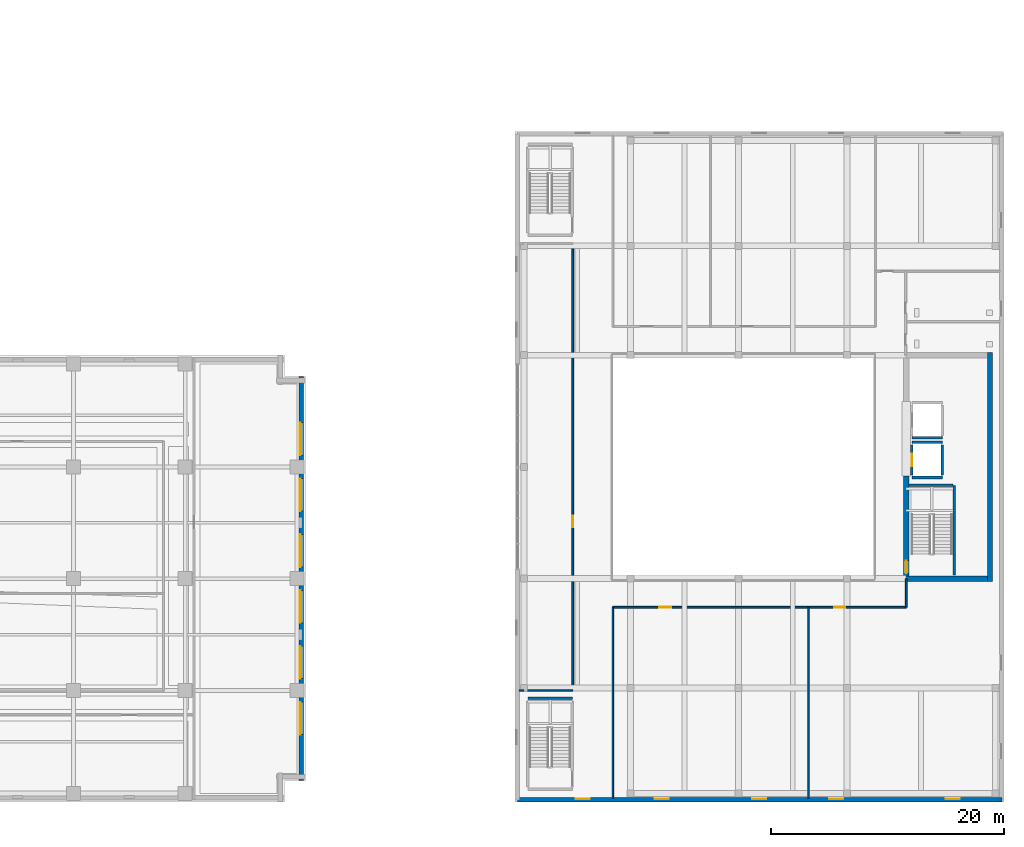
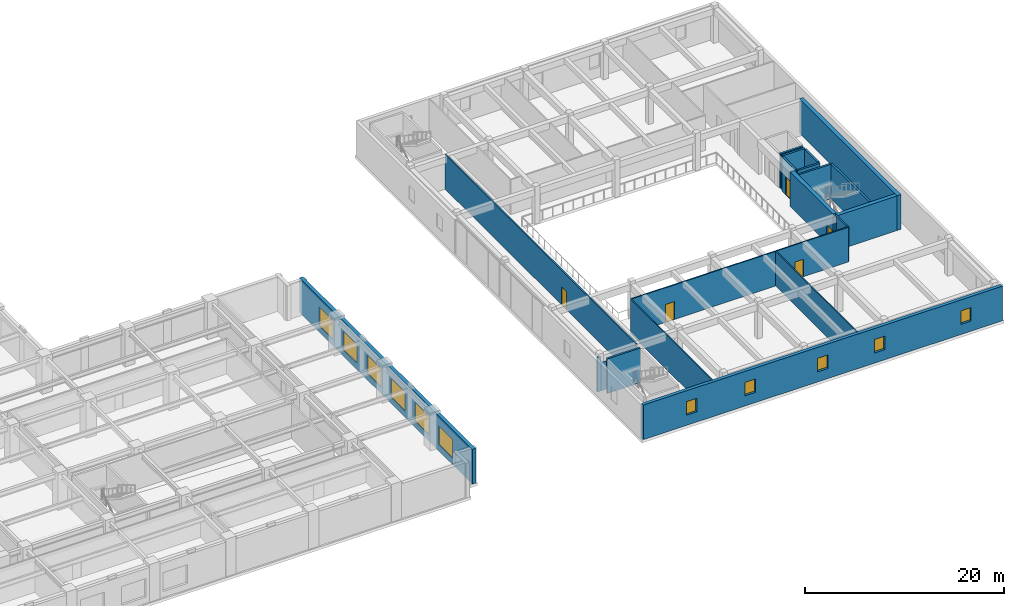
# One storey, part 9 of 24: 20 walls, 11 windows, 5 doors, 16 openings.
"""IFC4 building model written with IfcOpenShell, lengths in metres."""

from ifc_helpers import new_model, si_unit, direction, frame, frame_2d, origin, place, context, subcontext, project, spatial, rectangle, extrude, material, layer, layer_set, type_object, element, fill, save


model = new_model("IFC4")

# Units and contexts
model_context = context("Model", 3, precision=1e-05, world=origin(), true_north=direction((0.0, 1.0)))
body_context = subcontext(model_context, "Body", "Model", "MODEL_VIEW")
ifc_project = project(units=[si_unit("LENGTHUNIT", "METRE"), si_unit("AREAUNIT", "SQUARE_METRE"), si_unit("VOLUMEUNIT", "CUBIC_METRE"), si_unit("PLANEANGLEUNIT", "RADIAN"), si_unit("MASSUNIT", "GRAM", prefix="KILO")], contexts=[model_context])

# Site, building, storey
site_placement = place(None, origin())
site = spatial("IfcSite", under=ifc_project, at=site_placement, CompositionType="ELEMENT")
building_placement = place(site_placement, origin())
building = spatial("IfcBuilding", under=site, at=building_placement, Name="Norrvale University Quadrangle", CompositionType="ELEMENT")
storey_placement = place(building_placement, frame((0.0, 0.0, 15.0)))
storey = spatial("IfcBuildingStorey", under=building, at=storey_placement, Name="L03", CompositionType="ELEMENT", Elevation=15.0)

# Walls
ifc_material_1 = material(Name="Standard Academic Gypsum Partition")
ifc_layer_1 = layer(ifc_material_1, 0.125, Name="Standard Academic Gypsum Partition")
ifc_layer_set_1 = layer_set([ifc_layer_1], Name="Standard Academic Gypsum Partition")
wall_type_1 = type_object("IfcWallType", Name="Wall Gypsum Academic 125", PredefinedType="PARTITIONING", material=ifc_layer_set_1)
wall_1_placement = place(storey_placement, frame((85.550048828125, 9.60009765625, 0.0), z_axis=(0.0, 0.0, 1.0), x_axis=(1.0, 0.0, 0.0)))
element("IfcWall", 1, at=wall_1_placement, inside=storey, type_object=wall_type_1, Name="Interior Partition WL-L03-LWS", PredefinedType="PARTITIONING", context=body_context, shape_type="SweptSolid", body=[
    extrude(rectangle(XDim=0.39990234375, YDim=0.125, at=frame_2d((0.199951171875, 0.0))), origin(), (0.0, 0.0, 1.0), 4.25),
])
wall_2_placement = place(storey_placement, frame((85.949951171875, 9.60009765625, 0.0), z_axis=(0.0, 0.0, 1.0), x_axis=(1.0, 0.0, 0.0)))
element("IfcWall", 2, at=wall_2_placement, inside=storey, type_object=wall_type_1, Name="Interior Partition WL-L03-LWS-B2", PredefinedType="PARTITIONING", context=body_context, shape_type="SweptSolid", body=[
    extrude(rectangle(XDim=4.199951171875, YDim=0.125, at=frame_2d((2.10009765625, 0.0))), origin(), (0.0, 0.0, 1.0), 3.449951171875),
])
for number, where, z_axis, x_axis, name in (
    (3, (93.60009765625, 0.35009765625, 0.0), (0.0, 0.0, 1.0), (0.0, 1.0, 0.0), "Interior Partition WL-L03-LSS-W"),
    (4, (110.39990234375, 0.35009765625, 0.0), (0.0, 0.0, 1.0), (0.0, 1.0, 0.0), "Interior Partition WL-L03-LSS-M"),
):
    element("IfcWall", number, at=place(storey_placement, frame(where, z_axis=z_axis, x_axis=x_axis)), inside=storey, type_object=wall_type_1, Name=name, PredefinedType="PARTITIONING", context=body_context, shape_type="SweptSolid", body=[
        extrude(rectangle(XDim=16.389892578125, YDim=0.125, at=frame_2d((8.19482421875, 0.0))), origin(), (0.0, 0.0, 1.0), 4.25),
    ])

# Wall, opening, door
ifc_material_2 = material(Name="Fire-Rated Gypsum Stud Partition")
ifc_layer_2 = layer(ifc_material_2, 0.14990234375, Name="Fire-Rated Gypsum Stud Partition")
ifc_layer_set_2 = layer_set([ifc_layer_2], Name="Fire-Rated Gypsum Stud Partition")
wall_type_2 = type_object("IfcWallType", Name="Wall Gypsum Corridor 150", PredefinedType="PARTITIONING", material=ifc_layer_set_2)
wall_3_placement = place(storey_placement, frame((90.14990234375, 9.60009765625, 0.0), z_axis=(0.0, 0.0, 1.0), x_axis=(0.0, 1.0, 0.0)))
wall_3 = element("IfcWall", 5, at=wall_3_placement, inside=storey, type_object=wall_type_2, Name="Interior Partition WL-L03-LWE", PredefinedType="PARTITIONING", context=body_context, shape_type="SweptSolid", body=[
    extrude(rectangle(XDim=38.39990234375, YDim=0.14990234375, at=frame_2d((19.199951171875, 0.0))), origin(), (0.0, 0.0, 1.0), 4.25),
])
opening_1_placement = place(wall_3_placement, frame((14.0, 0.0, 0.0)))
opening_1 = element("IfcOpeningElement", 6, at=opening_1_placement, cuts=wall_3, Name="Opening D04", PredefinedType="OPENING", context=body_context, shape_type="SweptSolid", body=[
    extrude(rectangle(XDim=1.0, YDim=2.199951171875, at=frame_2d((0.5, 1.10009765625))), frame((0.0, 0.0869140625, 0.0), z_axis=(0.0, -1.0, 0.0), x_axis=(1.0, 0.0, 0.0)), (0.0, 0.0, 1.0), 0.173828125),
])
ifc_material_3 = material(Name="Solid-Core Oak Fire Door", Category="wood")
door_type_1 = type_object("IfcDoorType", Name="Door Corridor 1000x2200", OperationType="NOTDEFINED", PredefinedType="DOOR", material=ifc_material_3)
door_1_placement = place(opening_1_placement, origin())
door_1 = element("IfcDoor", 7, at=door_1_placement, inside=storey, type_object=door_type_1, Name="Door Corridor 1000x2200 DR-L03-LWCAR", OperationType="SINGLE_SWING_LEFT", OverallHeight=2.199951171875, OverallWidth=1.0, PredefinedType="DOOR", context=body_context, shape_type="SweptSolid", body=[
    extrude(rectangle(XDim=1.0, YDim=2.199951171875, at=frame_2d((0.5, 1.10009765625))), frame((0.0, 0.02490234375, 0.0), z_axis=(0.0, -1.0, 0.0), x_axis=(1.0, 0.0, 0.0)), (0.0, 0.0, 1.0), 0.050048828125),
])
fill(opening_1, door_1)

# Wall
wall_4_placement = place(storey_placement, frame((118.800048828125, 16.739990234375, 0.0), z_axis=(0.0, 0.0, 1.0), x_axis=(0.0, 1.0, 0.0)))
element("IfcWall", 8, at=wall_4_placement, inside=storey, type_object=wall_type_2, Name="Interior Partition WL-L03-LSS-E", PredefinedType="PARTITIONING", context=body_context, shape_type="SweptSolid", body=[
    extrude(rectangle(XDim=2.4599609375, YDim=0.14990234375, at=frame_2d((1.22998046875, 0.0))), origin(), (0.0, 0.0, 1.0), 4.25),
])

# Wall, openings, doors
wall_5_placement = place(storey_placement, frame((93.60009765625, 16.739990234375, 0.0), z_axis=(0.0, 0.0, 1.0), x_axis=(1.0, 0.0, 0.0)))
wall_5 = element("IfcWall", 9, at=wall_5_placement, inside=storey, type_object=wall_type_2, Name="Interior Partition WL-L03-LSS-N", PredefinedType="PARTITIONING", context=body_context, shape_type="SweptSolid", body=[
    extrude(rectangle(XDim=25.199951171875, YDim=0.14990234375, at=frame_2d((12.60009765625, 0.0))), origin(), (0.0, 0.0, 1.0), 4.25),
])
opening_2_placement = place(wall_5_placement, frame((4.0, 0.0, 0.0)))
opening_2 = element("IfcOpeningElement", 10, at=opening_2_placement, cuts=wall_5, Name="Opening D04", PredefinedType="OPENING", context=body_context, shape_type="SweptSolid", body=[
    extrude(rectangle(XDim=1.0, YDim=2.199951171875, at=frame_2d((0.5, 1.10009765625))), frame((0.0, 0.0869140625, 0.0), z_axis=(0.0, -1.0, 0.0), x_axis=(1.0, 0.0, 0.0)), (0.0, 0.0, 1.0), 0.173828125),
])
opening_3_placement = place(wall_5_placement, frame((19.0, 0.0, 0.0)))
opening_3 = element("IfcOpeningElement", 11, at=opening_3_placement, cuts=wall_5, Name="Opening D07", PredefinedType="OPENING", context=body_context, shape_type="SweptSolid", body=[
    extrude(rectangle(XDim=0.949951171875, YDim=2.14990234375, at=frame_2d((0.47509765625, 1.074951171875))), frame((0.0, 0.0869140625, 0.0), z_axis=(0.0, -1.0, 0.0), x_axis=(1.0, 0.0, 0.0)), (0.0, 0.0, 1.0), 0.173828125),
])
door_2_placement = place(opening_2_placement, origin())
door_2 = element("IfcDoor", 12, at=door_2_placement, inside=storey, type_object=door_type_1, Name="Door Corridor 1000x2200 DR-L03-LS1", OperationType="SINGLE_SWING_LEFT", OverallHeight=2.199951171875, OverallWidth=1.0, PredefinedType="DOOR", context=body_context, shape_type="SweptSolid", body=[
    extrude(rectangle(XDim=1.0, YDim=2.199951171875, at=frame_2d((0.5, 1.10009765625))), frame((0.0, 0.02490234375, 0.0), z_axis=(0.0, -1.0, 0.0), x_axis=(1.0, 0.0, 0.0)), (0.0, 0.0, 1.0), 0.050048828125),
])
fill(opening_2, door_2)
ifc_material_4 = material(Name="Solid-Core Maple Door", Category="wood")
door_type_2 = type_object("IfcDoorType", Name="Door Office 950x2150", OperationType="NOTDEFINED", PredefinedType="DOOR", material=ifc_material_4)
door_3_placement = place(opening_3_placement, origin())
door_3 = element("IfcDoor", 13, at=door_3_placement, inside=storey, type_object=door_type_2, Name="Door Office 950x2150 DR-L03-LS2", OperationType="SINGLE_SWING_RIGHT", OverallHeight=2.14990234375, OverallWidth=0.949951171875, PredefinedType="DOOR", context=body_context, shape_type="SweptSolid", body=[
    extrude(rectangle(XDim=0.949951171875, YDim=2.14990234375, at=frame_2d((0.47509765625, 1.074951171875))), frame((0.0, 0.02490234375, 0.0), z_axis=(0.0, -1.0, 0.0), x_axis=(1.0, 0.0, 0.0)), (0.0, 0.0, 1.0), 0.050048828125),
])
fill(opening_3, door_3)

# Wall, openings, windows
ifc_material_5 = material(Name="Buff Norman Clay Brick Masonry", Category="masonry")
ifc_layer_3 = layer(ifc_material_5, 0.3798828125, Name="Buff Norman Clay Brick Masonry")
ifc_layer_set_3 = layer_set([ifc_layer_3], Name="Buff Norman Clay Brick Masonry")
wall_type_3 = type_object("IfcWallType", Name="Wall Lib Brick 380", PredefinedType="SOLIDWALL", material=ifc_layer_set_3)
wall_6_placement = place(storey_placement, frame((85.389892578125, 0.18994140625, 0.0), z_axis=(0.0, 0.0, 1.0), x_axis=(1.0, 0.0, 0.0)))
wall_6 = element("IfcWall", 14, at=wall_6_placement, inside=storey, type_object=wall_type_3, Name="Central Library South Brick Facade L03", PredefinedType="SOLIDWALL", context=body_context, shape_type="SweptSolid", body=[
    extrude(rectangle(XDim=41.6201171875, YDim=0.3798828125, at=frame_2d((20.81005859375, 0.0))), origin(), (0.0, 0.0, 1.0), 4.25),
])
opening_4_placement = place(wall_6_placement, frame((5.0, 0.0, 1.25)))
opening_4 = element("IfcOpeningElement", 15, at=opening_4_placement, cuts=wall_6, Name="Opening W07", PredefinedType="OPENING", context=body_context, shape_type="SweptSolid", body=[
    extrude(rectangle(XDim=1.199951171875, YDim=1.64990234375, at=frame_2d((0.60009765625, 0.824951171875))), frame((0.0, 0.201904296875, 0.0), z_axis=(0.0, -1.0, 0.0), x_axis=(1.0, 0.0, 0.0)), (0.0, 0.0, 1.0), 0.40380859375),
])
opening_5_placement = place(wall_6_placement, frame((11.800048828125, 0.0, 1.25)))
opening_5 = element("IfcOpeningElement", 16, at=opening_5_placement, cuts=wall_6, Name="Opening W07", PredefinedType="OPENING", context=body_context, shape_type="SweptSolid", body=[
    extrude(rectangle(XDim=1.199951171875, YDim=1.64990234375, at=frame_2d((0.60009765625, 0.824951171875))), frame((0.0, 0.201904296875, 0.0), z_axis=(0.0, -1.0, 0.0), x_axis=(1.0, 0.0, 0.0)), (0.0, 0.0, 1.0), 0.40380859375),
])
opening_6_placement = place(wall_6_placement, frame((20.199951171875, 0.0, 1.25)))
opening_6 = element("IfcOpeningElement", 17, at=opening_6_placement, cuts=wall_6, Name="Opening W07", PredefinedType="OPENING", context=body_context, shape_type="SweptSolid", body=[
    extrude(rectangle(XDim=1.199951171875, YDim=1.64990234375, at=frame_2d((0.60009765625, 0.824951171875))), frame((0.0, 0.201904296875, 0.0), z_axis=(0.0, -1.0, 0.0), x_axis=(1.0, 0.0, 0.0)), (0.0, 0.0, 1.0), 0.40380859375),
])
opening_7_placement = place(wall_6_placement, frame((26.800048828125, 0.0, 1.25)))
opening_7 = element("IfcOpeningElement", 18, at=opening_7_placement, cuts=wall_6, Name="Opening W07", PredefinedType="OPENING", context=body_context, shape_type="SweptSolid", body=[
    extrude(rectangle(XDim=1.199951171875, YDim=1.64990234375, at=frame_2d((0.60009765625, 0.824951171875))), frame((0.0, 0.201904296875, 0.0), z_axis=(0.0, -1.0, 0.0), x_axis=(1.0, 0.0, 0.0)), (0.0, 0.0, 1.0), 0.40380859375),
])
opening_8_placement = place(wall_6_placement, frame((36.800048828125, 0.0, 1.25)))
opening_8 = element("IfcOpeningElement", 19, at=opening_8_placement, cuts=wall_6, Name="Opening W07", PredefinedType="OPENING", context=body_context, shape_type="SweptSolid", body=[
    extrude(rectangle(XDim=1.199951171875, YDim=1.64990234375, at=frame_2d((0.60009765625, 0.824951171875))), frame((0.0, 0.201904296875, 0.0), z_axis=(0.0, -1.0, 0.0), x_axis=(1.0, 0.0, 0.0)), (0.0, 0.0, 1.0), 0.40380859375),
])
ifc_material_6 = material(Name="UV-Filtered Triple Glazing", Category="glass")
window_type_1 = type_object("IfcWindowType", Name="Window Library Stack 1200x1800", PartitioningType="SINGLE_PANEL", PredefinedType="WINDOW", material=ifc_material_6)
window_1_placement = place(opening_4_placement, origin())
window_1 = element("IfcWindow", 20, at=window_1_placement, inside=storey, type_object=window_type_1, Name="Window Library Stack 1200x1800 WIN-L03-LS-01", OverallHeight=1.64990234375, OverallWidth=1.199951171875, PartitioningType="SINGLE_PANEL", PredefinedType="WINDOW", context=body_context, shape_type="SweptSolid", body=[
    extrude(rectangle(XDim=1.199951171875, YDim=1.64990234375, at=frame_2d((0.60009765625, 0.824951171875))), frame((0.0, 0.110107421875, 0.0), z_axis=(0.0, -1.0, 0.0), x_axis=(1.0, 0.0, 0.0)), (0.0, 0.0, 1.0), 0.06005859375),
])
fill(opening_4, window_1)
window_2_placement = place(opening_5_placement, origin())
window_2 = element("IfcWindow", 21, at=window_2_placement, inside=storey, type_object=window_type_1, Name="Window Library Stack 1200x1800 WIN-L03-LS-02", OverallHeight=1.64990234375, OverallWidth=1.199951171875, PartitioningType="SINGLE_PANEL", PredefinedType="WINDOW", context=body_context, shape_type="SweptSolid", body=[
    extrude(rectangle(XDim=1.199951171875, YDim=1.64990234375, at=frame_2d((0.60009765625, 0.824951171875))), frame((0.0, 0.110107421875, 0.0), z_axis=(0.0, -1.0, 0.0), x_axis=(1.0, 0.0, 0.0)), (0.0, 0.0, 1.0), 0.06005859375),
])
fill(opening_5, window_2)
window_3_placement = place(opening_6_placement, origin())
window_3 = element("IfcWindow", 22, at=window_3_placement, inside=storey, type_object=window_type_1, Name="Window Library Stack 1200x1800 WIN-L03-LS-03", OverallHeight=1.64990234375, OverallWidth=1.199951171875, PartitioningType="SINGLE_PANEL", PredefinedType="WINDOW", context=body_context, shape_type="SweptSolid", body=[
    extrude(rectangle(XDim=1.199951171875, YDim=1.64990234375, at=frame_2d((0.60009765625, 0.824951171875))), frame((0.0, 0.110107421875, 0.0), z_axis=(0.0, -1.0, 0.0), x_axis=(1.0, 0.0, 0.0)), (0.0, 0.0, 1.0), 0.06005859375),
])
fill(opening_6, window_3)
window_4_placement = place(opening_7_placement, origin())
window_4 = element("IfcWindow", 23, at=window_4_placement, inside=storey, type_object=window_type_1, Name="Window Library Stack 1200x1800 WIN-L03-LS-04", OverallHeight=1.64990234375, OverallWidth=1.199951171875, PartitioningType="SINGLE_PANEL", PredefinedType="WINDOW", context=body_context, shape_type="SweptSolid", body=[
    extrude(rectangle(XDim=1.199951171875, YDim=1.64990234375, at=frame_2d((0.60009765625, 0.824951171875))), frame((0.0, 0.110107421875, 0.0), z_axis=(0.0, -1.0, 0.0), x_axis=(1.0, 0.0, 0.0)), (0.0, 0.0, 1.0), 0.06005859375),
])
fill(opening_7, window_4)
window_5_placement = place(opening_8_placement, origin())
window_5 = element("IfcWindow", 24, at=window_5_placement, inside=storey, type_object=window_type_1, Name="Window Library Stack 1200x1800 WIN-L03-LS-05", OverallHeight=1.64990234375, OverallWidth=1.199951171875, PartitioningType="SINGLE_PANEL", PredefinedType="WINDOW", context=body_context, shape_type="SweptSolid", body=[
    extrude(rectangle(XDim=1.199951171875, YDim=1.64990234375, at=frame_2d((0.60009765625, 0.824951171875))), frame((0.0, 0.110107421875, 0.0), z_axis=(0.0, -1.0, 0.0), x_axis=(1.0, 0.0, 0.0)), (0.0, 0.0, 1.0), 0.06005859375),
])
fill(opening_8, window_5)

# Walls
ifc_material_7 = material(Name="Concrete C60/75", Category="concrete")
ifc_layer_4 = layer(ifc_material_7, 0.449951171875, Name="Concrete C60/75")
ifc_layer_set_4 = layer_set([ifc_layer_4], Name="Concrete C60/75")
wall_type_4 = type_object("IfcWallType", Name="Wall Lib Core 450", PredefinedType="SHEAR", material=ifc_layer_set_4)
wall_7_placement = place(storey_placement, frame((118.574951171875, 19.199951171875, 0.0), z_axis=(0.0, 0.0, 1.0), x_axis=(1.0, 0.0, 0.0)))
element("IfcWall", 25, at=wall_7_placement, inside=storey, type_object=wall_type_4, Name="Library Core Shear Wall L03-S", PredefinedType="SHEAR", context=body_context, shape_type="SweptSolid", body=[
    extrude(rectangle(XDim=7.199951171875, YDim=0.449951171875, at=frame_2d((3.60009765625, 0.0))), origin(), (0.0, 0.0, 1.0), 4.25),
])
wall_8_placement = place(storey_placement, frame((126.0, 18.97509765625, 0.0), z_axis=(0.0, 0.0, 1.0), x_axis=(0.0, 1.0, 0.0)))
element("IfcWall", 26, at=wall_8_placement, inside=storey, type_object=wall_type_4, Name="Library Core Shear Wall L03-E", PredefinedType="SHEAR", context=body_context, shape_type="SweptSolid", body=[
    extrude(rectangle(XDim=19.64990234375, YDim=0.449951171875, at=frame_2d((9.824951171875, 0.0))), origin(), (0.0, 0.0, 1.0), 4.25),
])

# Wall, opening, door
wall_9_placement = place(storey_placement, frame((118.800048828125, 19.425048828125, 0.0), z_axis=(0.0, 0.0, 1.0), x_axis=(0.0, 1.0, 0.0)))
wall_9 = element("IfcWall", 27, at=wall_9_placement, inside=storey, type_object=wall_type_4, Name="Library Core Shear Wall L03-W1", PredefinedType="SHEAR", context=body_context, shape_type="SweptSolid", body=[
    extrude(rectangle(XDim=8.574951171875, YDim=0.449951171875, at=frame_2d((4.28759765625, 0.0))), origin(), (0.0, 0.0, 1.0), 4.25),
])
opening_9_placement = place(wall_9_placement, frame((0.219970703125, 0.0, 0.0)))
opening_9 = element("IfcOpeningElement", 28, at=opening_9_placement, cuts=wall_9, Name="Opening D02", PredefinedType="OPENING", context=body_context, shape_type="SweptSolid", body=[
    extrude(rectangle(XDim=1.10009765625, YDim=2.199951171875, at=frame_2d((0.550048828125, 1.10009765625))), frame((0.0, 0.237060546875, 0.0), z_axis=(0.0, -1.0, 0.0), x_axis=(1.0, 0.0, 0.0)), (0.0, 0.0, 1.0), 0.473876953125),
])
ifc_material_8 = material(Name="Hollow Steel 350W Fire Door", Category="steel")
door_type_3 = type_object("IfcDoorType", Name="Door Stair Exit 1100x2200", OperationType="NOTDEFINED", PredefinedType="DOOR", material=ifc_material_8)
door_4_placement = place(opening_9_placement, frame((1.10009765625, 0.0, 0.0), z_axis=(0.0, 0.0, 1.0), x_axis=(-1.0, 0.0, 0.0)))
door_4 = element("IfcDoor", 29, at=door_4_placement, inside=storey, type_object=door_type_3, Name="Door Stair Exit 1100x2200 DR-L03-STL1", OperationType="SINGLE_SWING_LEFT", OverallHeight=2.199951171875, OverallWidth=1.10009765625, PredefinedType="DOOR", context=body_context, shape_type="SweptSolid", body=[
    extrude(rectangle(XDim=1.10009765625, YDim=2.199951171875, at=frame_2d((0.550048828125, 1.10009765625))), frame((0.0, 0.02490234375, 0.0), z_axis=(0.0, -1.0, 0.0), x_axis=(1.0, 0.0, 0.0)), (0.0, 0.0, 1.0), 0.050048828125),
])
fill(opening_9, door_4)

# Wall, openings, windows
ifc_material_9 = material(Name="Red Manganese Brick Masonry", Category="masonry")
ifc_layer_5 = layer(ifc_material_9, 0.39990234375, Name="Red Manganese Brick Masonry")
ifc_layer_set_5 = layer_set([ifc_layer_5], Name="Red Manganese Brick Masonry")
wall_type_5 = type_object("IfcWallType", Name="Wall Red Brick 400", PredefinedType="SOLIDWALL", material=ifc_layer_set_5)
wall_10_placement = place(storey_placement, frame((66.820068359375, 1.840087890625, 0.0), z_axis=(0.0, 0.0, 1.0), x_axis=(0.0, 1.0, 0.0)))
wall_10 = element("IfcWall", 30, at=wall_10_placement, inside=storey, type_object=wall_type_5, Name="Exterior Brick Facade Wall L03-04.1", PredefinedType="SOLIDWALL", context=body_context, shape_type="SweptSolid", body=[
    extrude(rectangle(XDim=34.719970703125, YDim=0.39990234375, at=frame_2d((17.35986328125, 0.0))), origin(), (0.0, 0.0, 1.0), 4.260009765625),
])
opening_10_placement = place(wall_10_placement, frame((3.9599609375, 0.0, 0.75)))
opening_10 = element("IfcOpeningElement", 31, at=opening_10_placement, cuts=wall_10, Name="Opening W05", PredefinedType="OPENING", context=body_context, shape_type="SweptSolid", body=[
    extrude(rectangle(XDim=2.800048828125, YDim=2.300048828125, at=frame_2d((1.39990234375, 1.14990234375))), frame((0.0, 0.2119140625, 0.0), z_axis=(0.0, -1.0, 0.0), x_axis=(1.0, 0.0, 0.0)), (0.0, 0.0, 1.0), 0.423828125),
])
opening_11_placement = place(wall_10_placement, frame((8.760009765625, 0.0, 0.75)))
opening_11 = element("IfcOpeningElement", 32, at=opening_11_placement, cuts=wall_10, Name="Opening W05", PredefinedType="OPENING", context=body_context, shape_type="SweptSolid", body=[
    extrude(rectangle(XDim=2.800048828125, YDim=2.300048828125, at=frame_2d((1.39990234375, 1.14990234375))), frame((0.0, 0.2119140625, 0.0), z_axis=(0.0, -1.0, 0.0), x_axis=(1.0, 0.0, 0.0)), (0.0, 0.0, 1.0), 0.423828125),
])
opening_12_placement = place(wall_10_placement, frame((13.56005859375, 0.0, 0.75)))
opening_12 = element("IfcOpeningElement", 33, at=opening_12_placement, cuts=wall_10, Name="Opening W05", PredefinedType="OPENING", context=body_context, shape_type="SweptSolid", body=[
    extrude(rectangle(XDim=2.800048828125, YDim=2.300048828125, at=frame_2d((1.39990234375, 1.14990234375))), frame((0.0, 0.2119140625, 0.0), z_axis=(0.0, -1.0, 0.0), x_axis=(1.0, 0.0, 0.0)), (0.0, 0.0, 1.0), 0.423828125),
])
opening_13_placement = place(wall_10_placement, frame((18.360107421875, 0.0, 0.75)))
opening_13 = element("IfcOpeningElement", 34, at=opening_13_placement, cuts=wall_10, Name="Opening W05", PredefinedType="OPENING", context=body_context, shape_type="SweptSolid", body=[
    extrude(rectangle(XDim=2.800048828125, YDim=2.300048828125, at=frame_2d((1.39990234375, 1.14990234375))), frame((0.0, 0.2119140625, 0.0), z_axis=(0.0, -1.0, 0.0), x_axis=(1.0, 0.0, 0.0)), (0.0, 0.0, 1.0), 0.423828125),
])
opening_14_placement = place(wall_10_placement, frame((23.159912109375, 0.0, 0.75)))
opening_14 = element("IfcOpeningElement", 35, at=opening_14_placement, cuts=wall_10, Name="Opening W05", PredefinedType="OPENING", context=body_context, shape_type="SweptSolid", body=[
    extrude(rectangle(XDim=2.800048828125, YDim=2.300048828125, at=frame_2d((1.39990234375, 1.14990234375))), frame((0.0, 0.2119140625, 0.0), z_axis=(0.0, -1.0, 0.0), x_axis=(1.0, 0.0, 0.0)), (0.0, 0.0, 1.0), 0.423828125),
])
opening_15_placement = place(wall_10_placement, frame((27.9599609375, 0.0, 0.75)))
opening_15 = element("IfcOpeningElement", 36, at=opening_15_placement, cuts=wall_10, Name="Opening W05", PredefinedType="OPENING", context=body_context, shape_type="SweptSolid", body=[
    extrude(rectangle(XDim=2.800048828125, YDim=2.300048828125, at=frame_2d((1.39990234375, 1.14990234375))), frame((0.0, 0.2119140625, 0.0), z_axis=(0.0, -1.0, 0.0), x_axis=(1.0, 0.0, 0.0)), (0.0, 0.0, 1.0), 0.423828125),
])
ifc_material_10 = material(Name="Bird-Friendly Fritted Triple Glazing", Category="glass")
window_type_2 = type_object("IfcWindowType", Name="Window Podium 2800x2800", PartitioningType="TRIPLE_PANEL_VERTICAL", PredefinedType="WINDOW", material=ifc_material_10)
window_6_placement = place(opening_10_placement, origin())
window_6 = element("IfcWindow", 37, at=window_6_placement, inside=storey, type_object=window_type_2, Name="Window Podium 2800x2800 WIN-L03-E04-1-01", OverallHeight=2.300048828125, OverallWidth=2.800048828125, PartitioningType="TRIPLE_PANEL_VERTICAL", PredefinedType="WINDOW", context=body_context, shape_type="SweptSolid", body=[
    extrude(rectangle(XDim=2.800048828125, YDim=2.300048828125, at=frame_2d((1.39990234375, 1.14990234375))), frame((0.0, 0.110107421875, 0.0), z_axis=(0.0, -1.0, 0.0), x_axis=(1.0, 0.0, 0.0)), (0.0, 0.0, 1.0), 0.06005859375),
])
fill(opening_10, window_6)
window_7_placement = place(opening_11_placement, origin())
window_7 = element("IfcWindow", 38, at=window_7_placement, inside=storey, type_object=window_type_2, Name="Window Podium 2800x2800 WIN-L03-E04-1-02", OverallHeight=2.300048828125, OverallWidth=2.800048828125, PartitioningType="TRIPLE_PANEL_VERTICAL", PredefinedType="WINDOW", context=body_context, shape_type="SweptSolid", body=[
    extrude(rectangle(XDim=2.800048828125, YDim=2.300048828125, at=frame_2d((1.39990234375, 1.14990234375))), frame((0.0, 0.110107421875, 0.0), z_axis=(0.0, -1.0, 0.0), x_axis=(1.0, 0.0, 0.0)), (0.0, 0.0, 1.0), 0.06005859375),
])
fill(opening_11, window_7)
window_8_placement = place(opening_12_placement, origin())
window_8 = element("IfcWindow", 39, at=window_8_placement, inside=storey, type_object=window_type_2, Name="Window Podium 2800x2800 WIN-L03-E04-1-03", OverallHeight=2.300048828125, OverallWidth=2.800048828125, PartitioningType="TRIPLE_PANEL_VERTICAL", PredefinedType="WINDOW", context=body_context, shape_type="SweptSolid", body=[
    extrude(rectangle(XDim=2.800048828125, YDim=2.300048828125, at=frame_2d((1.39990234375, 1.14990234375))), frame((0.0, 0.110107421875, 0.0), z_axis=(0.0, -1.0, 0.0), x_axis=(1.0, 0.0, 0.0)), (0.0, 0.0, 1.0), 0.06005859375),
])
fill(opening_12, window_8)
window_9_placement = place(opening_13_placement, origin())
window_9 = element("IfcWindow", 40, at=window_9_placement, inside=storey, type_object=window_type_2, Name="Window Podium 2800x2800 WIN-L03-E04-1-04", OverallHeight=2.300048828125, OverallWidth=2.800048828125, PartitioningType="TRIPLE_PANEL_VERTICAL", PredefinedType="WINDOW", context=body_context, shape_type="SweptSolid", body=[
    extrude(rectangle(XDim=2.800048828125, YDim=2.300048828125, at=frame_2d((1.39990234375, 1.14990234375))), frame((0.0, 0.110107421875, 0.0), z_axis=(0.0, -1.0, 0.0), x_axis=(1.0, 0.0, 0.0)), (0.0, 0.0, 1.0), 0.06005859375),
])
fill(opening_13, window_9)
window_10_placement = place(opening_14_placement, origin())
window_10 = element("IfcWindow", 41, at=window_10_placement, inside=storey, type_object=window_type_2, Name="Window Podium 2800x2800 WIN-L03-E04-1-05", OverallHeight=2.300048828125, OverallWidth=2.800048828125, PartitioningType="TRIPLE_PANEL_VERTICAL", PredefinedType="WINDOW", context=body_context, shape_type="SweptSolid", body=[
    extrude(rectangle(XDim=2.800048828125, YDim=2.300048828125, at=frame_2d((1.39990234375, 1.14990234375))), frame((0.0, 0.110107421875, 0.0), z_axis=(0.0, -1.0, 0.0), x_axis=(1.0, 0.0, 0.0)), (0.0, 0.0, 1.0), 0.06005859375),
])
fill(opening_14, window_10)
window_11_placement = place(opening_15_placement, origin())
window_11 = element("IfcWindow", 42, at=window_11_placement, inside=storey, type_object=window_type_2, Name="Window Podium 2800x2800 WIN-L03-E04-1-06", OverallHeight=2.300048828125, OverallWidth=2.800048828125, PartitioningType="TRIPLE_PANEL_VERTICAL", PredefinedType="WINDOW", context=body_context, shape_type="SweptSolid", body=[
    extrude(rectangle(XDim=2.800048828125, YDim=2.300048828125, at=frame_2d((1.39990234375, 1.14990234375))), frame((0.0, 0.110107421875, 0.0), z_axis=(0.0, -1.0, 0.0), x_axis=(1.0, 0.0, 0.0)), (0.0, 0.0, 1.0), 0.06005859375),
])
fill(opening_15, window_11)

# Walls
ifc_material_11 = material(Name="Concrete Blockwork 20 MPa Fire Shaft", Category="masonry")
ifc_layer_6 = layer(ifc_material_11, 0.219970703125, Name="Concrete Blockwork 20 MPa Fire Shaft")
ifc_layer_set_6 = layer_set([ifc_layer_6], Name="Concrete Blockwork 20 MPa Fire Shaft")
wall_type_6 = type_object("IfcWallType", Name="Wall Shaft 220", PredefinedType="SOLIDWALL", material=ifc_layer_set_6)
wall_11_placement = place(storey_placement, frame((122.909912109375, 19.5, 0.0), z_axis=(0.0, 0.0, 1.0), x_axis=(0.0, 1.0, 0.0)))
element("IfcWall", 43, at=wall_11_placement, inside=storey, type_object=wall_type_6, Name="Library Stair ST-L1 East Wall L03", PredefinedType="SOLIDWALL", context=body_context, shape_type="SweptSolid", body=[
    extrude(rectangle(XDim=7.7099609375, YDim=0.219970703125, at=frame_2d((3.85498046875, 0.0))), origin(), (0.0, 0.0, 1.0), 4.25),
])
wall_12_placement = place(storey_placement, frame((119.050048828125, 27.2099609375, 0.0), z_axis=(0.0, 0.0, 1.0), x_axis=(1.0, 0.0, 0.0)))
element("IfcWall", 44, at=wall_12_placement, inside=storey, type_object=wall_type_6, Name="Library Stair ST-L1 North Wall L03", PredefinedType="SOLIDWALL", context=body_context, shape_type="SweptSolid", body=[
    extrude(rectangle(XDim=3.75, YDim=0.219970703125, at=frame_2d((1.875, 0.0))), origin(), (0.0, 0.0, 1.0), 4.25),
])
wall_13_placement = place(storey_placement, frame((86.2900390625, 8.909912109375, 0.0), z_axis=(0.0, 0.0, 1.0), x_axis=(1.0, 0.0, 0.0)))
element("IfcWall", 45, at=wall_13_placement, inside=storey, type_object=wall_type_6, Name="Library Stair ST-L2 North Wall L03", PredefinedType="SOLIDWALL", context=body_context, shape_type="SweptSolid", body=[
    extrude(rectangle(XDim=3.820068359375, YDim=0.219970703125, at=frame_2d((1.91015625, 0.0))), origin(), (0.0, 0.0, 1.0), 4.25),
])

# Wall, opening, door
wall_14_placement = place(storey_placement, frame((119.2900390625, 28.110107421875, 0.0), z_axis=(0.0, 0.0, 1.0), x_axis=(0.0, 1.0, 0.0)))
wall_14 = element("IfcWall", 46, at=wall_14_placement, inside=storey, type_object=wall_type_6, Name="Hoistway LL-01 West Wall L03", PredefinedType="SOLIDWALL", context=body_context, shape_type="SweptSolid", body=[
    extrude(rectangle(XDim=2.579833984375, YDim=0.219970703125, at=frame_2d((1.2900390625, 0.0))), origin(), (0.0, 0.0, 1.0), 4.25),
])
opening_16_placement = place(wall_14_placement, frame((0.739990234375, 0.0, 0.0)))
opening_16 = element("IfcOpeningElement", 47, at=opening_16_placement, cuts=wall_14, Name="Opening LD1", PredefinedType="OPENING", context=body_context, shape_type="SweptSolid", body=[
    extrude(rectangle(XDim=1.10009765625, YDim=2.199951171875, at=frame_2d((0.550048828125, 1.10009765625))), frame((0.0, 0.1220703125, 0.0), z_axis=(0.0, -1.0, 0.0), x_axis=(1.0, 0.0, 0.0)), (0.0, 0.0, 1.0), 0.243896484375),
])
ifc_material_12 = material(Name="Stainless Steel 316L Lift Landing Door", Category="steel")
door_type_4 = type_object("IfcDoorType", Name="Door Lift Landing 1100x2200", OperationType="DOUBLE_DOOR_SLIDING", PredefinedType="DOOR", material=ifc_material_12)
door_5_placement = place(opening_16_placement, origin())
door_5 = element("IfcDoor", 48, at=door_5_placement, inside=storey, type_object=door_type_4, Name="Elevator Landing Door DR-L03-LL-01", OperationType="DOUBLE_DOOR_SLIDING", OverallHeight=2.199951171875, OverallWidth=1.10009765625, PredefinedType="DOOR", context=body_context, shape_type="SweptSolid", body=[
    extrude(rectangle(XDim=1.10009765625, YDim=2.199951171875, at=frame_2d((0.550048828125, 1.10009765625))), frame((0.0, 0.02490234375, 0.0), z_axis=(0.0, -1.0, 0.0), x_axis=(1.0, 0.0, 0.0)), (0.0, 0.0, 1.0), 0.050048828125),
])
fill(opening_16, door_5)

# Walls
wall_15_placement = place(storey_placement, frame((121.909912109375, 28.110107421875, 0.0), z_axis=(0.0, 0.0, 1.0), x_axis=(0.0, 1.0, 0.0)))
element("IfcWall", 49, at=wall_15_placement, inside=storey, type_object=wall_type_6, Name="Hoistway LL-01 East Wall L03", PredefinedType="SOLIDWALL", context=body_context, shape_type="SweptSolid", body=[
    extrude(rectangle(XDim=2.579833984375, YDim=0.219970703125, at=frame_2d((1.2900390625, 0.0))), origin(), (0.0, 0.0, 1.0), 4.25),
])
for number, where, z_axis, x_axis, name in (
    (50, (119.2900390625, 27.889892578125, 0.0), (0.0, 0.0, 1.0), (1.0, 0.0, 0.0), "Hoistway LL-01 South Wall L03"),
    (51, (119.2900390625, 30.909912109375, 0.0), (0.0, 0.0, 1.0), (1.0, 0.0, 0.0), "Hoistway LL-01 North Wall L03"),
    (52, (119.2900390625, 31.2900390625, 0.0), (0.0, 0.0, 1.0), (1.0, 0.0, 0.0), "Hoistway LL-02 South Wall L03"),
):
    element("IfcWall", number, at=place(storey_placement, frame(where, z_axis=z_axis, x_axis=x_axis)), inside=storey, type_object=wall_type_6, Name=name, PredefinedType="SOLIDWALL", context=body_context, shape_type="SweptSolid", body=[
        extrude(rectangle(XDim=2.619873046875, YDim=0.219970703125, at=frame_2d((1.31005859375, 0.0))), origin(), (0.0, 0.0, 1.0), 4.25),
    ])

save(model, "model.ifc")
